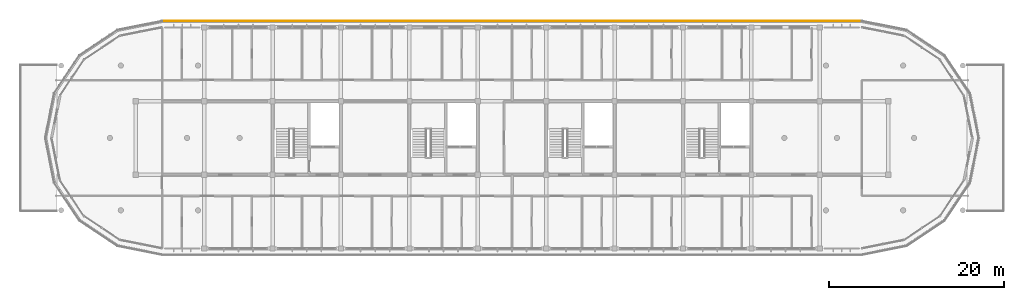
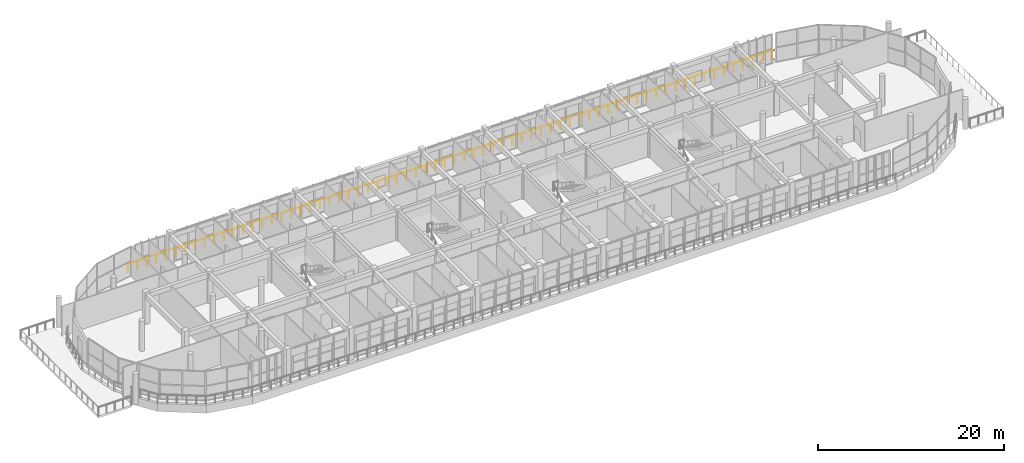
# One storey, part 55 of 56: 1 railing.
"""IFC4 building model written with IfcOpenShell, lengths in metres."""

from ifc_helpers import new_model, si_unit, direction, frame, origin, origin_2d, place, context, subcontext, project, spatial, circle, hollow_circle, extrude, material, material_profile, profile_set, type_object, element, save


model = new_model("IFC4")

# Units and contexts
model_context = context("Model", 3, precision=1e-05, world=origin(), true_north=direction((0.0, 1.0)))
body_context = subcontext(model_context, "Body", "Model", "MODEL_VIEW")
ifc_project = project(units=[si_unit("LENGTHUNIT", "METRE"), si_unit("AREAUNIT", "SQUARE_METRE"), si_unit("VOLUMEUNIT", "CUBIC_METRE"), si_unit("PLANEANGLEUNIT", "RADIAN"), si_unit("MASSUNIT", "GRAM", prefix="KILO")], contexts=[model_context])

# Site, building, storey
site_placement = place(None, origin())
site = spatial("IfcSite", under=ifc_project, at=site_placement, CompositionType="ELEMENT")
building_placement = place(site_placement, origin())
building = spatial("IfcBuilding", under=site, at=building_placement, Name="Zizhar Promenade General Hospital", CompositionType="ELEMENT")
storey_placement = place(building_placement, frame((0.0, 0.0, 26.39990234375)))
storey = spatial("IfcBuildingStorey", under=building, at=storey_placement, Name="L06", CompositionType="ELEMENT", Elevation=26.39990234375)

# Railing
ifc_material = material(Name="Anodised aluminium 6063-T6", Category="aluminium")
ifc_material_profile = material_profile(ifc_material, hollow_circle(Radius=0.06982421875, WallThickness=0.00634765625, at=origin_2d()))
ifc_profile_set = profile_set([ifc_material_profile], Name="Anodised aluminium 6063-T6")
railing_type = type_object("IfcRailingType", Name="RL-GUARD-TERR-1100", PredefinedType="GUARDRAIL", material=ifc_profile_set)
railing_placement = place(storey_placement, frame((114.0, 25.919921875, 0.0)))
element("IfcRailing", 1, at=railing_placement, inside=storey, type_object=railing_type, Name="Perimeter Safety Guardrail L06-09", PredefinedType="GUARDRAIL", context=body_context, shape_type="SweptSolid", body=[
    extrude(circle(Radius=0.02392578125, at=origin_2d()), frame((0.0, 0.0, 1.09619140625), z_axis=(-1.0, 0.0, 0.0), x_axis=(0.0, -1.0, 0.0)), (0.0, 0.0, 1.0), 79.800048828125),
    extrude(circle(Radius=0.02099609375, at=origin_2d()), origin(), (0.0, 0.0, 1.0), 1.072021484375),
    extrude(circle(Radius=0.02099609375, at=origin_2d()), frame((-1.191162109375, 0.0, 0.0)), (0.0, 0.0, 1.0), 1.072021484375),
    extrude(circle(Radius=0.02099609375, at=origin_2d()), frame((-2.382080078125, 0.0, 0.0)), (0.0, 0.0, 1.0), 1.072021484375),
    extrude(circle(Radius=0.02099609375, at=origin_2d()), frame((-3.5732421875, 0.0, 0.0)), (0.0, 0.0, 1.0), 1.072021484375),
    extrude(circle(Radius=0.02099609375, at=origin_2d()), frame((-4.76416015625, 0.0, 0.0)), (0.0, 0.0, 1.0), 1.072021484375),
    extrude(circle(Radius=0.02099609375, at=origin_2d()), frame((-5.955322265625, 0.0, 0.0)), (0.0, 0.0, 1.0), 1.072021484375),
    extrude(circle(Radius=0.02099609375, at=origin_2d()), frame((-7.146240234375, 0.0, 0.0)), (0.0, 0.0, 1.0), 1.072021484375),
    extrude(circle(Radius=0.02099609375, at=origin_2d()), frame((-8.33740234375, 0.0, 0.0)), (0.0, 0.0, 1.0), 1.072021484375),
    extrude(circle(Radius=0.02099609375, at=origin_2d()), frame((-9.5283203125, 0.0, 0.0)), (0.0, 0.0, 1.0), 1.072021484375),
    extrude(circle(Radius=0.02099609375, at=origin_2d()), frame((-10.719482421875, 0.0, 0.0)), (0.0, 0.0, 1.0), 1.072021484375),
    extrude(circle(Radius=0.02099609375, at=origin_2d()), frame((-11.910400390625, 0.0, 0.0)), (0.0, 0.0, 1.0), 1.072021484375),
    extrude(circle(Radius=0.02099609375, at=origin_2d()), frame((-13.1015625, 0.0, 0.0)), (0.0, 0.0, 1.0), 1.072021484375),
    extrude(circle(Radius=0.02099609375, at=origin_2d()), frame((-14.29248046875, 0.0, 0.0)), (0.0, 0.0, 1.0), 1.072021484375),
    extrude(circle(Radius=0.02099609375, at=origin_2d()), frame((-15.483642578125, 0.0, 0.0)), (0.0, 0.0, 1.0), 1.072021484375),
    extrude(circle(Radius=0.02099609375, at=origin_2d()), frame((-16.674560546875, 0.0, 0.0)), (0.0, 0.0, 1.0), 1.072021484375),
    extrude(circle(Radius=0.02099609375, at=origin_2d()), frame((-17.86572265625, 0.0, 0.0)), (0.0, 0.0, 1.0), 1.072021484375),
    extrude(circle(Radius=0.02099609375, at=origin_2d()), frame((-19.056640625, 0.0, 0.0)), (0.0, 0.0, 1.0), 1.072021484375),
    extrude(circle(Radius=0.02099609375, at=origin_2d()), frame((-20.247802734375, 0.0, 0.0)), (0.0, 0.0, 1.0), 1.072021484375),
    extrude(circle(Radius=0.02099609375, at=origin_2d()), frame((-21.438720703125, 0.0, 0.0)), (0.0, 0.0, 1.0), 1.072021484375),
    extrude(circle(Radius=0.02099609375, at=origin_2d()), frame((-22.6298828125, 0.0, 0.0)), (0.0, 0.0, 1.0), 1.072021484375),
    extrude(circle(Radius=0.02099609375, at=origin_2d()), frame((-23.82080078125, 0.0, 0.0)), (0.0, 0.0, 1.0), 1.072021484375),
    extrude(circle(Radius=0.02099609375, at=origin_2d()), frame((-25.011962890625, 0.0, 0.0)), (0.0, 0.0, 1.0), 1.072021484375),
    extrude(circle(Radius=0.02099609375, at=origin_2d()), frame((-26.202880859375, 0.0, 0.0)), (0.0, 0.0, 1.0), 1.072021484375),
    extrude(circle(Radius=0.02099609375, at=origin_2d()), frame((-27.39404296875, 0.0, 0.0)), (0.0, 0.0, 1.0), 1.072021484375),
    extrude(circle(Radius=0.02099609375, at=origin_2d()), frame((-28.585205078125, 0.0, 0.0)), (0.0, 0.0, 1.0), 1.072021484375),
    extrude(circle(Radius=0.02099609375, at=origin_2d()), frame((-29.776123046875, 0.0, 0.0)), (0.0, 0.0, 1.0), 1.072021484375),
    extrude(circle(Radius=0.02099609375, at=origin_2d()), frame((-30.96728515625, 0.0, 0.0)), (0.0, 0.0, 1.0), 1.072021484375),
    extrude(circle(Radius=0.02099609375, at=origin_2d()), frame((-32.158203125, 0.0, 0.0)), (0.0, 0.0, 1.0), 1.072021484375),
    extrude(circle(Radius=0.02099609375, at=origin_2d()), frame((-33.349365234375, 0.0, 0.0)), (0.0, 0.0, 1.0), 1.072021484375),
    extrude(circle(Radius=0.02099609375, at=origin_2d()), frame((-34.540283203125, 0.0, 0.0)), (0.0, 0.0, 1.0), 1.072021484375),
    extrude(circle(Radius=0.02099609375, at=origin_2d()), frame((-35.7314453125, 0.0, 0.0)), (0.0, 0.0, 1.0), 1.072021484375),
    extrude(circle(Radius=0.02099609375, at=origin_2d()), frame((-36.92236328125, 0.0, 0.0)), (0.0, 0.0, 1.0), 1.072021484375),
    extrude(circle(Radius=0.02099609375, at=origin_2d()), frame((-38.113525390625, 0.0, 0.0)), (0.0, 0.0, 1.0), 1.072021484375),
    extrude(circle(Radius=0.02099609375, at=origin_2d()), frame((-39.304443359375, 0.0, 0.0)), (0.0, 0.0, 1.0), 1.072021484375),
    extrude(circle(Radius=0.02099609375, at=origin_2d()), frame((-40.49560546875, 0.0, 0.0)), (0.0, 0.0, 1.0), 1.072021484375),
    extrude(circle(Radius=0.02099609375, at=origin_2d()), frame((-41.6865234375, 0.0, 0.0)), (0.0, 0.0, 1.0), 1.072021484375),
    extrude(circle(Radius=0.02099609375, at=origin_2d()), frame((-42.877685546875, 0.0, 0.0)), (0.0, 0.0, 1.0), 1.072021484375),
    extrude(circle(Radius=0.02099609375, at=origin_2d()), frame((-44.068603515625, 0.0, 0.0)), (0.0, 0.0, 1.0), 1.072021484375),
    extrude(circle(Radius=0.02099609375, at=origin_2d()), frame((-45.259765625, 0.0, 0.0)), (0.0, 0.0, 1.0), 1.072021484375),
    extrude(circle(Radius=0.02099609375, at=origin_2d()), frame((-46.45068359375, 0.0, 0.0)), (0.0, 0.0, 1.0), 1.072021484375),
    extrude(circle(Radius=0.02099609375, at=origin_2d()), frame((-47.641845703125, 0.0, 0.0)), (0.0, 0.0, 1.0), 1.072021484375),
    extrude(circle(Radius=0.02099609375, at=origin_2d()), frame((-48.832763671875, 0.0, 0.0)), (0.0, 0.0, 1.0), 1.072021484375),
    extrude(circle(Radius=0.02099609375, at=origin_2d()), frame((-50.02392578125, 0.0, 0.0)), (0.0, 0.0, 1.0), 1.072021484375),
    extrude(circle(Radius=0.02099609375, at=origin_2d()), frame((-51.21484375, 0.0, 0.0)), (0.0, 0.0, 1.0), 1.072021484375),
    extrude(circle(Radius=0.02099609375, at=origin_2d()), frame((-52.406005859375, 0.0, 0.0)), (0.0, 0.0, 1.0), 1.072021484375),
    extrude(circle(Radius=0.02099609375, at=origin_2d()), frame((-53.59716796875, 0.0, 0.0)), (0.0, 0.0, 1.0), 1.072021484375),
    extrude(circle(Radius=0.02099609375, at=origin_2d()), frame((-54.7880859375, 0.0, 0.0)), (0.0, 0.0, 1.0), 1.072021484375),
    extrude(circle(Radius=0.02099609375, at=origin_2d()), frame((-55.979248046875, 0.0, 0.0)), (0.0, 0.0, 1.0), 1.072021484375),
    extrude(circle(Radius=0.02099609375, at=origin_2d()), frame((-57.170166015625, 0.0, 0.0)), (0.0, 0.0, 1.0), 1.072021484375),
    extrude(circle(Radius=0.02099609375, at=origin_2d()), frame((-58.361328125, 0.0, 0.0)), (0.0, 0.0, 1.0), 1.072021484375),
    extrude(circle(Radius=0.02099609375, at=origin_2d()), frame((-59.55224609375, 0.0, 0.0)), (0.0, 0.0, 1.0), 1.072021484375),
    extrude(circle(Radius=0.02099609375, at=origin_2d()), frame((-60.743408203125, 0.0, 0.0)), (0.0, 0.0, 1.0), 1.072021484375),
    extrude(circle(Radius=0.02099609375, at=origin_2d()), frame((-61.934326171875, 0.0, 0.0)), (0.0, 0.0, 1.0), 1.072021484375),
    extrude(circle(Radius=0.02099609375, at=origin_2d()), frame((-63.12548828125, 0.0, 0.0)), (0.0, 0.0, 1.0), 1.072021484375),
    extrude(circle(Radius=0.02099609375, at=origin_2d()), frame((-64.31640625, 0.0, 0.0)), (0.0, 0.0, 1.0), 1.072021484375),
    extrude(circle(Radius=0.02099609375, at=origin_2d()), frame((-65.507568359375, 0.0, 0.0)), (0.0, 0.0, 1.0), 1.072021484375),
    extrude(circle(Radius=0.02099609375, at=origin_2d()), frame((-66.698486328125, 0.0, 0.0)), (0.0, 0.0, 1.0), 1.072021484375),
    extrude(circle(Radius=0.02099609375, at=origin_2d()), frame((-67.8896484375, 0.0, 0.0)), (0.0, 0.0, 1.0), 1.072021484375),
    extrude(circle(Radius=0.02099609375, at=origin_2d()), frame((-69.08056640625, 0.0, 0.0)), (0.0, 0.0, 1.0), 1.072021484375),
    extrude(circle(Radius=0.02099609375, at=origin_2d()), frame((-70.271728515625, 0.0, 0.0)), (0.0, 0.0, 1.0), 1.072021484375),
    extrude(circle(Radius=0.02099609375, at=origin_2d()), frame((-71.462646484375, 0.0, 0.0)), (0.0, 0.0, 1.0), 1.072021484375),
    extrude(circle(Radius=0.02099609375, at=origin_2d()), frame((-72.65380859375, 0.0, 0.0)), (0.0, 0.0, 1.0), 1.072021484375),
    extrude(circle(Radius=0.02099609375, at=origin_2d()), frame((-73.8447265625, 0.0, 0.0)), (0.0, 0.0, 1.0), 1.072021484375),
    extrude(circle(Radius=0.02099609375, at=origin_2d()), frame((-75.035888671875, 0.0, 0.0)), (0.0, 0.0, 1.0), 1.072021484375),
    extrude(circle(Radius=0.02099609375, at=origin_2d()), frame((-76.226806640625, 0.0, 0.0)), (0.0, 0.0, 1.0), 1.072021484375),
    extrude(circle(Radius=0.02099609375, at=origin_2d()), frame((-77.41796875, 0.0, 0.0)), (0.0, 0.0, 1.0), 1.072021484375),
    extrude(circle(Radius=0.02099609375, at=origin_2d()), frame((-78.60888671875, 0.0, 0.0)), (0.0, 0.0, 1.0), 1.072021484375),
    extrude(circle(Radius=0.02099609375, at=origin_2d()), frame((-79.800048828125, 0.0, 0.0)), (0.0, 0.0, 1.0), 1.072021484375),
])

save(model, "model.ifc")
